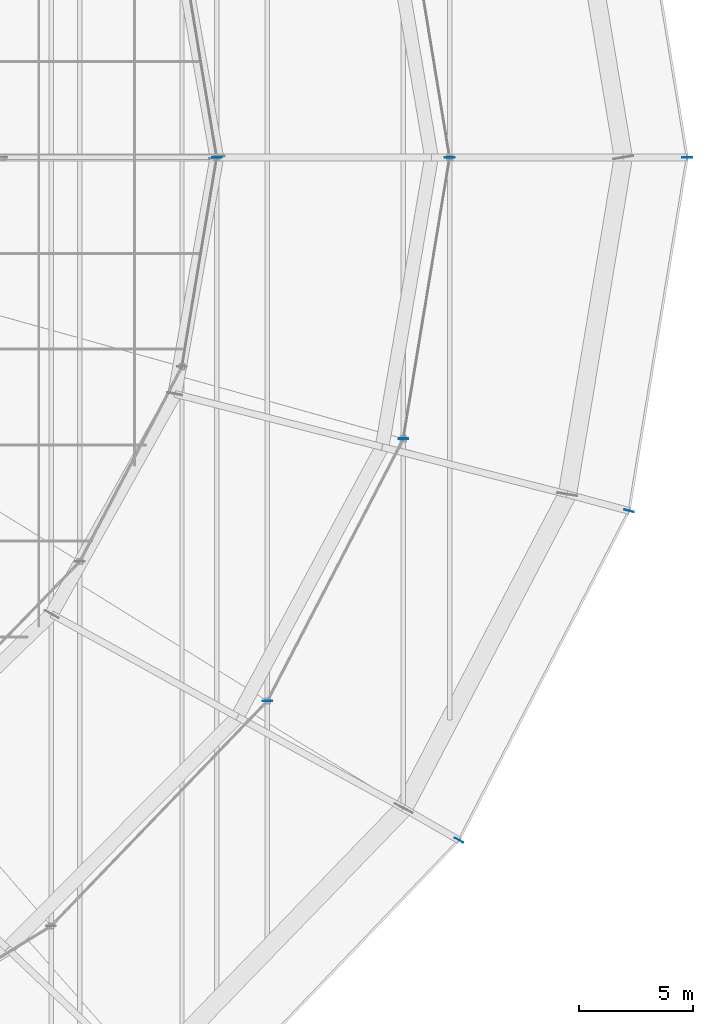
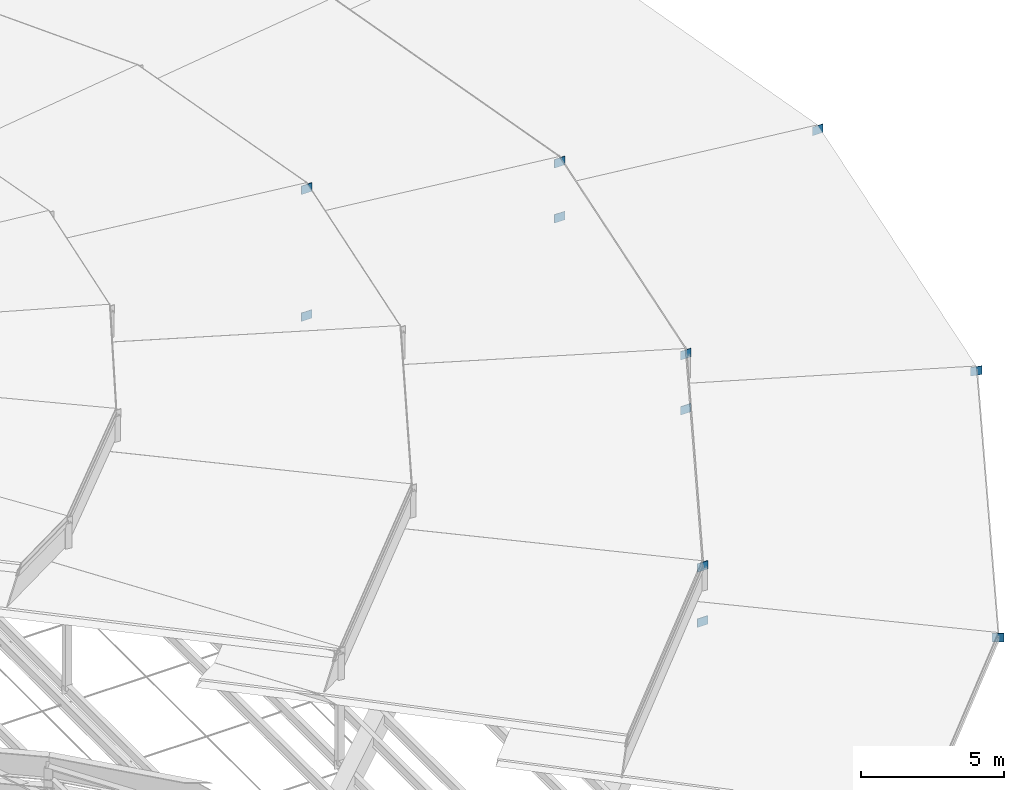
# One storey, part 181 of 184: 11 plates.
"""IFC4 building model written with IfcOpenShell, lengths in metres."""

from ifc_helpers import new_model, si_unit, direction, frame, origin, origin_2d, place, context, subcontext, project, spatial, rectangle, extrude, material, layer, layer_set, type_object, element, save


model = new_model("IFC4")

# Units and contexts
model_context = context("Model", 3, precision=1e-05, world=origin(), true_north=direction((0.0, 1.0)))
body_context = subcontext(model_context, "Body", "Model", "MODEL_VIEW")
ifc_project = project(units=[si_unit("LENGTHUNIT", "METRE"), si_unit("AREAUNIT", "SQUARE_METRE"), si_unit("VOLUMEUNIT", "CUBIC_METRE"), si_unit("PLANEANGLEUNIT", "RADIAN"), si_unit("MASSUNIT", "GRAM", prefix="KILO")], contexts=[model_context])

# Site, building, storey
site_placement = place(None, origin())
site = spatial("IfcSite", under=ifc_project, at=site_placement, CompositionType="ELEMENT")
building_placement = place(site_placement, origin())
building = spatial("IfcBuilding", under=site, at=building_placement, Name="Kalgoora Escarpment Arena", CompositionType="ELEMENT")
storey_placement = place(building_placement, frame((0.0, 0.0, 27.60009765625)))
storey = spatial("IfcBuildingStorey", under=building, at=storey_placement, Name="Roof Level", CompositionType="ELEMENT", Elevation=27.60009765625)

# Plates
ifc_material = material(Name="Structural steel Grade 350 (350 MPa)", Category="steel")
ifc_layer = layer(ifc_material, 0.02490234375)
ifc_layer_set = layer_set([ifc_layer], Name="PLT-GUSSET-25")
plate_type = type_object("IfcPlateType", Name="PLT-GUSSET-25", PredefinedType="USERDEFINED", material=ifc_layer_set)
for number, where, z_axis, x_axis, name in (
    (1, (146.39990234375, 64.0, -1.88037109375), (0.0, 0.0, 1.0), (-1.0, 0.0, 0.0), "Brace and post end gusset plate 067"),
    (2, (167.0, 64.0, -1.18017578125), (0.0, 0.0, 1.0), (1.0, 0.0, 0.0), "Brace and post end gusset plate 155"),
    (3, (157.005615234375, 34.10009765625, -1.18017578125), (0.0, 0.0, 1.0), (0.866025403784, -0.5, 0.0), "Brace and post end gusset plate 177"),
    (4, (164.4580078125, 48.522705078125, -1.18017578125), (0.0, 0.0, 1.0), (0.965925826289, -0.258819045103, 0.0), "Brace and post end gusset plate 178"),
    (5, (156.60009765625, 64.0, -1.26025390625), (0.0, 0.0, 1.0), (1.0, 0.0, 0.0), "Brace and post end gusset plate 179"),
    (6, (156.60009765625, 64.0, 1.0849609375), (0.0, 0.0, 1.0), (1.0, 0.0, 0.0), "Brace and post end gusset plate 180"),
    (7, (148.614990234375, 40.199951171875, -1.26025390625), (0.0, 0.0, 1.0), (1.0, 0.0, 0.0), "Brace and post end gusset plate 223"),
    (8, (148.614990234375, 40.199951171875, 1.0849609375), (0.0, 0.0, 1.0), (1.0, 0.0, 0.0), "Brace and post end gusset plate 224"),
    (9, (154.569091796875, 51.68017578125, -1.26025390625), (0.0, 0.0, 1.0), (1.0, 0.0, 0.0), "Brace and post end gusset plate 225"),
    (10, (154.569091796875, 51.68017578125, 1.0849609375), (0.0, 0.0, 1.0), (1.0, 0.0, 0.0), "Brace and post end gusset plate 226"),
    (11, (146.39990234375, 64.0, 3.52490234375), (0.0, 0.0, 1.0), (1.0, 0.0, 0.0), "Brace and post end gusset plate 227"),
):
    element("IfcPlate", number, at=place(storey_placement, frame(where, z_axis=z_axis, x_axis=x_axis)), inside=storey, type_object=plate_type, Name=name, ObjectType="FLANGE PLATE", PredefinedType="USERDEFINED", context=body_context, shape_type="SweptSolid", body=[
        extrude(rectangle(XDim=0.419921875, YDim=0.02490234375, at=origin_2d()), origin(), (0.0, 0.0, 1.0), 0.360107421875),
    ])

save(model, "model.ifc")
